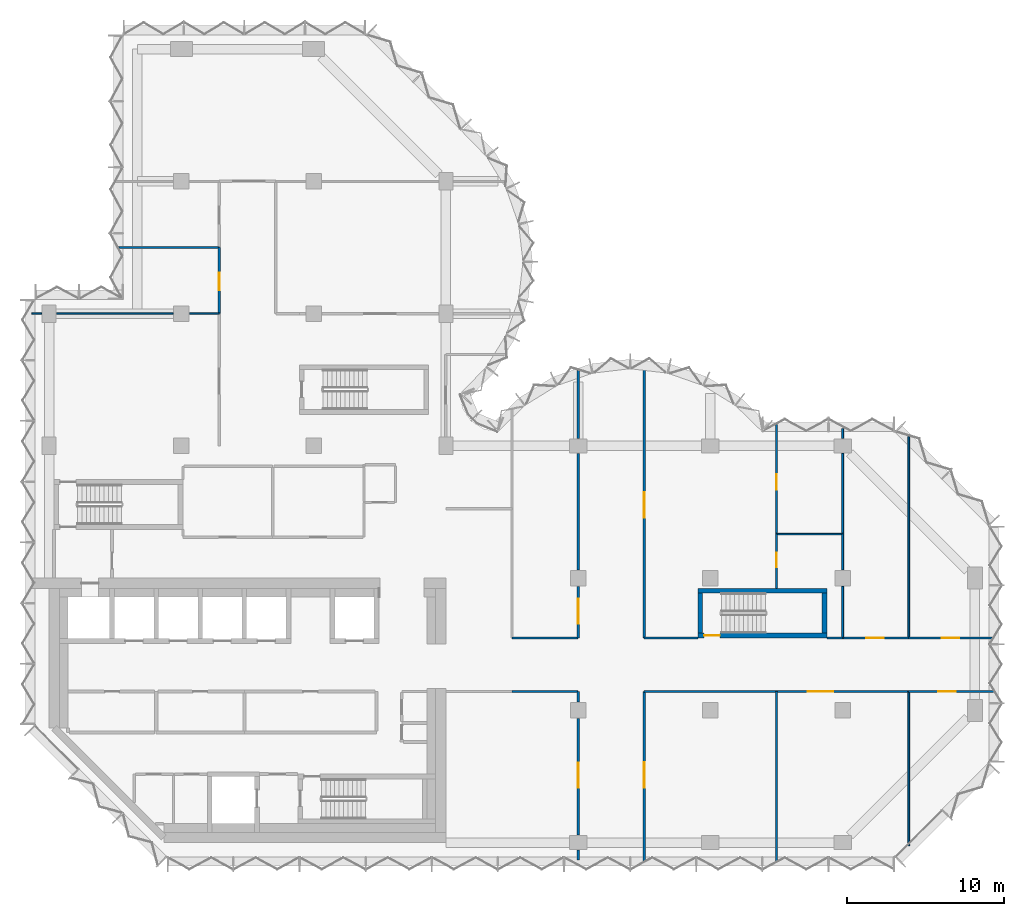
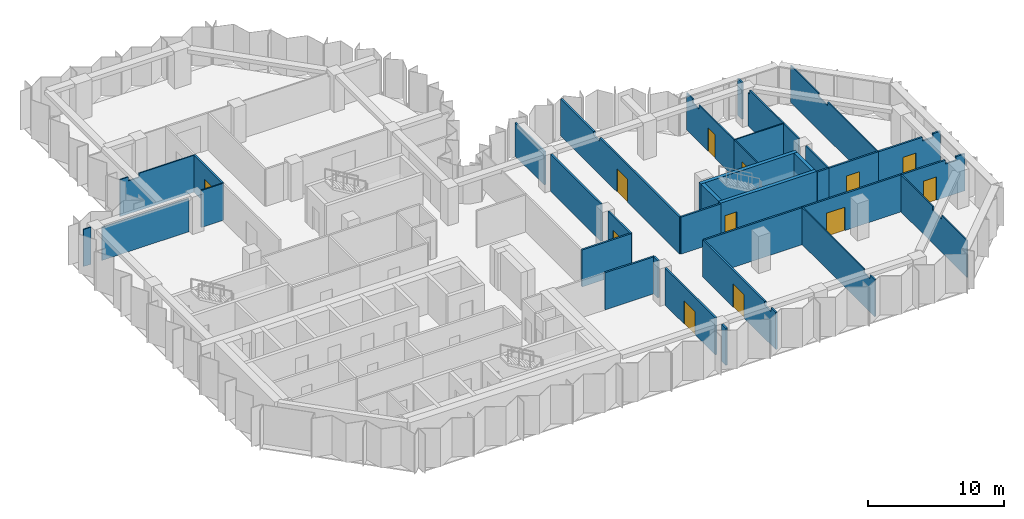
# One storey, part 7 of 10: 36 walls, 12 doors, 12 openings.
"""IFC4 building model written with IfcOpenShell, lengths in metres."""

from ifc_helpers import new_model, si_unit, direction, frame, frame_2d, origin, place, context, subcontext, project, spatial, polyline, rectangle, outline, extrude, material, layer, layer_set, type_object, element, fill, save


model = new_model("IFC4")

# Units and contexts
model_context = context("Model", 3, precision=1e-05, world=origin(), true_north=direction((0.0, 1.0)))
body_context = subcontext(model_context, "Body", "Model", "MODEL_VIEW")
ifc_project = project(units=[si_unit("LENGTHUNIT", "METRE"), si_unit("AREAUNIT", "SQUARE_METRE"), si_unit("VOLUMEUNIT", "CUBIC_METRE"), si_unit("PLANEANGLEUNIT", "RADIAN"), si_unit("MASSUNIT", "GRAM", prefix="KILO")], contexts=[model_context])

# Site, building, storey
site_placement = place(None, origin())
site = spatial("IfcSite", under=ifc_project, at=site_placement, CompositionType="ELEMENT")
building_placement = place(site_placement, origin())
building = spatial("IfcBuilding", under=site, at=building_placement, Name="Brevane Broadcast Tower", CompositionType="ELEMENT")
storey_placement = place(building_placement, frame((0.0, 0.0, 181.199951171875)))
storey = spatial("IfcBuildingStorey", under=building, at=storey_placement, Name="L45", CompositionType="ELEMENT", Elevation=181.199951171875)

# Wall, opening, door
ifc_material_1 = material(Name="Concrete C60/75", Category="concrete")
ifc_layer_1 = layer(ifc_material_1, 0.300048828125)
ifc_layer_set_1 = layer_set([ifc_layer_1], Name="Core wall 300 mm C60/75")
wall_type_1 = type_object("IfcWallType", Name="Core wall 300 mm C60/75", PredefinedType="SHEAR", material=ifc_layer_set_1)
wall_1_placement = place(storey_placement, frame((49.39990234375, 13.14990234375, 0.0), z_axis=(0.0, 0.0, 1.0), x_axis=(-1.0, 0.0, 0.0)))
wall_1 = element("IfcWall", 1, at=wall_1_placement, inside=storey, type_object=wall_type_1, Name="L45 stair wall ST-4-S", PredefinedType="SHEAR", context=body_context, shape_type="SweptSolid", body=[
    extrude(rectangle(XDim=8.199951171875, YDim=0.300048828125, at=frame_2d((4.10009765625, 0.0))), origin(), (0.0, 0.0, 1.0), 3.35009765625),
])
opening_1_placement = place(wall_1_placement, frame((6.800048828125, 0.0, 0.0)))
opening_1 = element("IfcOpeningElement", 2, at=opening_1_placement, cuts=wall_1, Name="Opening L45-K13", PredefinedType="OPENING", context=body_context, shape_type="SweptSolid", body=[
    extrude(rectangle(XDim=1.0, YDim=2.10009765625, at=frame_2d((0.5, 1.050048828125))), frame((0.0, 0.159912109375, 0.0), z_axis=(0.0, -1.0, 0.0), x_axis=(1.0, 0.0, 0.0)), (0.0, 0.0, 1.0), 0.320068359375),
])
ifc_material_2 = material(Name="Steel", Category="steel")
door_type_1 = type_object("IfcDoorType", Name="Stair door 1000 x 2100", OperationType="SINGLE_SWING_LEFT", PredefinedType="DOOR", material=ifc_material_2)
door_1_placement = place(opening_1_placement, origin())
door_1 = element("IfcDoor", 3, at=door_1_placement, inside=storey, type_object=door_type_1, Name="Door L45-K13", OperationType="SINGLE_SWING_RIGHT", OverallHeight=2.10009765625, OverallWidth=1.0, PredefinedType="DOOR", context=body_context, shape_type="SweptSolid", body=[
    extrude(rectangle(XDim=1.0, YDim=2.10009765625, at=frame_2d((0.5, 1.050048828125))), frame((0.0, 0.02490234375, 0.0), z_axis=(0.0, -1.0, 0.0), x_axis=(1.0, 0.0, 0.0)), (0.0, 0.0, 1.0), 0.050048828125),
])
fill(opening_1, door_1)

# Walls
wall_2_placement = place(storey_placement, frame((41.199951171875, 16.0, 0.0), z_axis=(0.0, 0.0, 1.0), x_axis=(1.0, 0.0, 0.0)))
element("IfcWall", 4, at=wall_2_placement, inside=storey, type_object=wall_type_1, Name="L45 stair wall ST-4-N", PredefinedType="SHEAR", context=body_context, shape_type="SweptSolid", body=[
    extrude(rectangle(XDim=8.199951171875, YDim=0.300048828125, at=frame_2d((4.10009765625, 0.0))), origin(), (0.0, 0.0, 1.0), 3.35009765625),
])
for number, where, z_axis, x_axis, name in (
    (5, (41.35009765625, 13.300048828125, 0.0), (0.0, 0.0, 1.0), (0.0, 1.0, 0.0), "L45 stair wall ST-4-W"),
    (6, (49.25, 13.300048828125, 0.0), (0.0, 0.0, 1.0), (0.0, 1.0, 0.0), "L45 stair wall ST-4-E"),
):
    element("IfcWall", number, at=place(storey_placement, frame(where, z_axis=z_axis, x_axis=x_axis)), inside=storey, type_object=wall_type_1, Name=name, PredefinedType="SHEAR", context=body_context, shape_type="SweptSolid", body=[
        extrude(rectangle(XDim=2.550048828125, YDim=0.300048828125, at=frame_2d((1.27490234375, 0.0))), origin(), (0.0, 0.0, 1.0), 3.35009765625),
    ])
ifc_material_3 = material(Name="Gypsum board partition")
ifc_layer_2 = layer(ifc_material_3, 0.10009765625)
ifc_layer_set_2 = layer_set([ifc_layer_2], Name="PARTITION 100 STUD")
wall_type_2 = type_object("IfcWallType", Name="PARTITION 100 STUD", PredefinedType="PARTITIONING", material=ifc_layer_set_2)
wall_3_placement = place(storey_placement, frame((46.199951171875, 9.60009765625, 0.0), z_axis=(0.0, 0.0, 1.0), x_axis=(0.0, -1.0, 0.0)))
element("IfcWall", 7, at=wall_3_placement, inside=storey, type_object=wall_type_2, Name="Partition G13-020", PredefinedType="PARTITIONING", context=body_context, shape_type="SweptSolid", body=[
    extrude(outline(polyline([(0.0, 0.0), (10.774169921875, 0.0), (10.77392578125, 3.330078125), (10.699951171875, 3.330078125), (10.050048828125, 3.330078125), (10.048095703125, 2.97998046875), (9.152099609375, 2.97998046875), (9.14990234375, 3.330078125), (0.0, 3.330078125), (0.0, 0.0)])), frame((0.0, 0.050048828125, 0.0), z_axis=(0.0, -1.0, 0.0), x_axis=(1.0, 0.0, 0.0)), (0.0, 0.0, 1.0), 0.10009765625),
])
wall_4_placement = place(storey_placement, frame((54.60009765625, 9.60009765625, 0.0), z_axis=(0.0, 0.0, 1.0), x_axis=(0.0, -1.0, 0.0)))
element("IfcWall", 8, at=wall_4_placement, inside=storey, type_object=wall_type_2, Name="Partition G13-021", PredefinedType="PARTITIONING", context=body_context, shape_type="SweptSolid", body=[
    extrude(outline(polyline([(0.0, 0.0), (9.800048828125, 0.0), (9.800048828125, 3.330078125), (6.065673828125, 3.330078125), (6.063720703125, 2.97998046875), (4.736328125, 2.97998046875), (4.734375, 3.330078125), (0.0, 3.330078125), (0.0, 0.0)])), frame((0.0, 0.050048828125, 0.0), z_axis=(0.0, -1.0, 0.0), x_axis=(1.0, 0.0, 0.0)), (0.0, 0.0, 1.0), 0.10009765625),
])

# Wall, opening, door
wall_5_placement = place(storey_placement, frame((46.199951171875, 19.60009765625, 0.0), z_axis=(0.0, 0.0, 1.0), x_axis=(0.0, -1.0, 0.0)))
wall_5 = element("IfcWall", 9, at=wall_5_placement, inside=storey, type_object=wall_type_2, Name="Partition G13-026", PredefinedType="PARTITIONING", context=body_context, shape_type="SweptSolid", body=[
    extrude(rectangle(XDim=3.4501953125, YDim=0.10009765625, at=frame_2d((1.72509765625, 0.0))), origin(), (0.0, 0.0, 1.0), 3.330078125),
])
opening_2_placement = place(wall_5_placement, frame((1.199951171875, 0.0, 0.0)))
opening_2 = element("IfcOpeningElement", 10, at=opening_2_placement, cuts=wall_5, Name="Opening D22-008", PredefinedType="OPENING", context=body_context, shape_type="SweptSolid", body=[
    extrude(rectangle(XDim=0.89990234375, YDim=2.10009765625, at=frame_2d((0.449951171875, 1.050048828125))), frame((0.0, 0.06005859375, 0.0), z_axis=(0.0, -1.0, 0.0), x_axis=(1.0, 0.0, 0.0)), (0.0, 0.0, 1.0), 0.1201171875),
])
ifc_material_4 = material(Name="Timber door leaf", Category="wood")
door_type_2 = type_object("IfcDoorType", Name="DOOR SINGLE 900 INTERNAL", OperationType="SINGLE_SWING_LEFT", PredefinedType="DOOR", material=ifc_material_4)
door_2_placement = place(opening_2_placement, origin())
door_2 = element("IfcDoor", 11, at=door_2_placement, inside=storey, type_object=door_type_2, Name="Door D22-008", OperationType="SINGLE_SWING_LEFT", OverallHeight=2.10009765625, OverallWidth=0.89990234375, PredefinedType="DOOR", context=body_context, shape_type="SweptSolid", body=[
    extrude(rectangle(XDim=0.89990234375, YDim=2.10009765625, at=frame_2d((0.449951171875, 1.050048828125))), frame((0.0, 0.02490234375, 0.0), z_axis=(0.0, -1.0, 0.0), x_axis=(1.0, 0.0, 0.0)), (0.0, 0.0, 1.0), 0.050048828125),
])
fill(opening_2, door_2)

wall_6_placement = place(storey_placement, frame((46.199951171875, 26.56494140625, 0.0), z_axis=(0.0, 0.0, 1.0), x_axis=(0.0, -1.0, 0.0)))
wall_6 = element("IfcWall", 12, at=wall_6_placement, inside=storey, type_object=wall_type_2, Name="Partition G13-027", PredefinedType="PARTITIONING", context=body_context, shape_type="SweptSolid", body=[
    extrude(outline(polyline([(0.0, 0.0), (6.96484375, 0.0), (6.965087890625, 3.330078125), (1.81494140625, 3.330078125), (1.81298828125, 2.97998046875), (0.9169921875, 2.97998046875), (0.9150390625, 3.330078125), (0.264892578125, 3.330078125), (0.0, 3.330078125), (0.0, 0.0)])), frame((0.0, 0.050048828125, 0.0), z_axis=(0.0, -1.0, 0.0), x_axis=(1.0, 0.0, 0.0)), (0.0, 0.0, 1.0), 0.10009765625),
])
opening_3_placement = place(wall_6_placement, frame((3.1650390625, 0.0, 0.0)))
opening_3 = element("IfcOpeningElement", 13, at=opening_3_placement, cuts=wall_6, Name="Opening D22-009", PredefinedType="OPENING", context=body_context, shape_type="SweptSolid", body=[
    extrude(rectangle(XDim=1.0, YDim=2.10009765625, at=frame_2d((0.5, 1.050048828125))), frame((0.0, 0.06005859375, 0.0), z_axis=(0.0, -1.0, 0.0), x_axis=(1.0, 0.0, 0.0)), (0.0, 0.0, 1.0), 0.1201171875),
])
door_type_3 = type_object("IfcDoorType", Name="DOOR SINGLE 1000 INTERNAL", OperationType="SINGLE_SWING_LEFT", PredefinedType="DOOR", material=ifc_material_4)
door_3_placement = place(opening_3_placement, origin())
door_3 = element("IfcDoor", 14, at=door_3_placement, inside=storey, type_object=door_type_3, Name="Door D22-009", OperationType="SINGLE_SWING_LEFT", OverallHeight=2.10009765625, OverallWidth=1.0, PredefinedType="DOOR", context=body_context, shape_type="SweptSolid", body=[
    extrude(rectangle(XDim=1.0, YDim=2.10009765625, at=frame_2d((0.5, 1.050048828125))), frame((0.0, 0.02490234375, 0.0), z_axis=(0.0, -1.0, 0.0), x_axis=(1.0, 0.0, 0.0)), (0.0, 0.0, 1.0), 0.050048828125),
])
fill(opening_3, door_3)

# Walls
wall_7_placement = place(storey_placement, frame((46.199951171875, 19.60009765625, 0.0), z_axis=(0.0, 0.0, 1.0), x_axis=(1.0, 0.0, 0.0)))
element("IfcWall", 15, at=wall_7_placement, inside=storey, type_object=wall_type_2, Name="Partition G13-028", PredefinedType="PARTITIONING", context=body_context, shape_type="SweptSolid", body=[
    extrude(rectangle(XDim=4.199951171875, YDim=0.10009765625, at=frame_2d((2.10009765625, 0.0))), origin(), (0.0, 0.0, 1.0), 3.330078125),
])
wall_8_placement = place(storey_placement, frame((54.60009765625, 25.805419921875, 0.0), z_axis=(0.0, 0.0, 1.0), x_axis=(0.0, -1.0, 0.0)))
element("IfcWall", 16, at=wall_8_placement, inside=storey, type_object=wall_type_2, Name="Partition G13-033", PredefinedType="PARTITIONING", context=body_context, shape_type="SweptSolid", body=[
    extrude(outline(polyline([(0.0, 0.0), (12.805419921875, 0.0), (12.805419921875, 3.330078125), (5.47119140625, 3.330078125), (5.468994140625, 2.97998046875), (4.1416015625, 2.97998046875), (4.1396484375, 3.330078125), (0.405517578125, 3.330078125), (0.0, 3.330078125), (0.0, 0.0)])), frame((0.0, 0.050048828125, 0.0), z_axis=(0.0, -1.0, 0.0), x_axis=(1.0, 0.0, 0.0)), (0.0, 0.0, 1.0), 0.10009765625),
])
wall_9_placement = place(storey_placement, frame((-1.10009765625, 33.60009765625, 0.0), z_axis=(0.0, 0.0, 1.0), x_axis=(1.0, 0.0, 0.0)))
element("IfcWall", 17, at=wall_9_placement, inside=storey, type_object=wall_type_2, Name="Partition G13-048", PredefinedType="PARTITIONING", context=body_context, shape_type="SweptSolid", body=[
    extrude(rectangle(XDim=0.630126953125, YDim=0.10009765625, at=frame_2d((0.31494140625, 0.0))), origin(), (0.0, 0.0, 1.0), 3.330078125),
])
wall_10_placement = place(storey_placement, frame((0.469970703125, 33.60009765625, 0.0), z_axis=(0.0, 0.0, 1.0), x_axis=(1.0, 0.0, 0.0)))
element("IfcWall", 18, at=wall_10_placement, inside=storey, type_object=wall_type_2, Name="Partition G13-049", PredefinedType="PARTITIONING", context=body_context, shape_type="SweptSolid", body=[
    extrude(outline(polyline([(0.0, 0.0), (7.409912109375, 0.0), (7.409912109375, 2.97998046875), (0.0, 2.97998046875), (0.0, 0.0)])), frame((0.0, 0.050048828125, 0.0), z_axis=(0.0, -1.0, 0.0), x_axis=(1.0, 0.0, 0.0)), (0.0, 0.0, 1.0), 0.10009765625),
])
wall_11_placement = place(storey_placement, frame((8.919921875, 33.60009765625, 0.0), z_axis=(0.0, 0.0, 1.0), x_axis=(1.0, 0.0, 0.0)))
element("IfcWall", 19, at=wall_11_placement, inside=storey, type_object=wall_type_2, Name="Partition G13-050", PredefinedType="PARTITIONING", context=body_context, shape_type="SweptSolid", body=[
    extrude(rectangle(XDim=1.880126953125, YDim=0.10009765625, at=frame_2d((0.93994140625, 0.0))), origin(), (0.0, 0.0, 1.0), 3.330078125),
])
wall_12_placement = place(storey_placement, frame((4.426025390625, 37.800048828125, 0.0), z_axis=(0.0, 0.0, 1.0), x_axis=(1.0, 0.0, 0.0)))
element("IfcWall", 20, at=wall_12_placement, inside=storey, type_object=wall_type_2, Name="Partition G13-051", PredefinedType="PARTITIONING", context=body_context, shape_type="SweptSolid", body=[
    extrude(outline(polyline([(0.0, 0.0), (6.3740234375, 0.0), (6.3740234375, 3.330078125), (1.6240234375, 3.330078125), (1.6220703125, 2.97998046875), (0.72607421875, 2.97998046875), (0.72412109375, 3.330078125), (0.073974609375, 3.330078125), (0.0, 3.330078125), (0.0, 0.0)])), frame((0.0, 0.050048828125, 0.0), z_axis=(0.0, -1.0, 0.0), x_axis=(1.0, 0.0, 0.0)), (0.0, 0.0, 1.0), 0.10009765625),
])
ifc_layer_3 = layer(ifc_material_3, 0.125)
ifc_layer_set_3 = layer_set([ifc_layer_3], Name="PARTITION 125 ACOUSTIC")
wall_type_3 = type_object("IfcWallType", Name="PARTITION 125 ACOUSTIC", PredefinedType="PARTITIONING", material=ifc_layer_set_3)
wall_13_placement = place(storey_placement, frame((50.39990234375, 19.60009765625, 0.0), z_axis=(0.0, 0.0, 1.0), x_axis=(0.0, -1.0, 0.0)))
element("IfcWall", 21, at=wall_13_placement, inside=storey, type_object=wall_type_3, Name="Partition G13-029", PredefinedType="PARTITIONING", context=body_context, shape_type="SweptSolid", body=[
    extrude(rectangle(XDim=2.280029296875, YDim=0.125, at=frame_2d((1.14013671875, 0.0))), origin(), (0.0, 0.0, 1.0), 3.330078125),
])
wall_14_placement = place(storey_placement, frame((50.39990234375, 16.280029296875, 0.0), z_axis=(0.0, 0.0, 1.0), x_axis=(0.0, -1.0, 0.0)))
element("IfcWall", 22, at=wall_14_placement, inside=storey, type_object=wall_type_3, Name="Partition G13-030", PredefinedType="PARTITIONING", context=body_context, shape_type="SweptSolid", body=[
    extrude(rectangle(XDim=3.280029296875, YDim=0.125, at=frame_2d((1.64013671875, 0.0))), origin(), (0.0, 0.0, 1.0), 3.330078125),
])
wall_15_placement = place(storey_placement, frame((50.39990234375, 26.300048828125, 0.0), z_axis=(0.0, 0.0, 1.0), x_axis=(0.0, -1.0, 0.0)))
element("IfcWall", 23, at=wall_15_placement, inside=storey, type_object=wall_type_3, Name="Partition G13-031", PredefinedType="PARTITIONING", context=body_context, shape_type="SweptSolid", body=[
    extrude(rectangle(XDim=0.630126953125, YDim=0.125, at=frame_2d((0.31494140625, 0.0))), origin(), (0.0, 0.0, 1.0), 3.330078125),
])
wall_16_placement = place(storey_placement, frame((50.39990234375, 24.72998046875, 0.0), z_axis=(0.0, 0.0, 1.0), x_axis=(0.0, -1.0, 0.0)))
element("IfcWall", 24, at=wall_16_placement, inside=storey, type_object=wall_type_3, Name="Partition G13-032", PredefinedType="PARTITIONING", context=body_context, shape_type="SweptSolid", body=[
    extrude(outline(polyline([(0.0, 0.0), (5.1298828125, 0.0), (5.1298828125, 3.330078125), (0.208251953125, 3.330078125), (0.206298828125, 2.97998046875), (0.0, 2.97998046875), (0.0, 0.0)])), frame((0.0, 0.0625, 0.0), z_axis=(0.0, -1.0, 0.0), x_axis=(1.0, 0.0, 0.0)), (0.0, 0.0, 1.0), 0.125),
])
ifc_layer_4 = layer(ifc_material_3, 0.14990234375)
ifc_layer_set_4 = layer_set([ifc_layer_4], Name="PARTITION 150 EI 60")
wall_type_4 = type_object("IfcWallType", Name="PARTITION 150 EI 60", PredefinedType="PARTITIONING", material=ifc_layer_set_4)
wall_17_placement = place(storey_placement, frame((33.60009765625, 9.60009765625, 0.0), z_axis=(0.0, 0.0, 1.0), x_axis=(-1.0, 0.0, 0.0)))
element("IfcWall", 25, at=wall_17_placement, inside=storey, type_object=wall_type_4, Name="Partition G13-007", PredefinedType="PARTITIONING", context=body_context, shape_type="SweptSolid", body=[
    extrude(rectangle(XDim=4.2001953125, YDim=0.14990234375, at=frame_2d((2.10009765625, 0.0))), origin(), (0.0, 0.0, 1.0), 3.330078125),
])
wall_18_placement = place(storey_placement, frame((46.199951171875, 9.60009765625, 0.0), z_axis=(0.0, 0.0, 1.0), x_axis=(-1.0, 0.0, 0.0)))
element("IfcWall", 26, at=wall_18_placement, inside=storey, type_object=wall_type_4, Name="Partition G13-008", PredefinedType="PARTITIONING", context=body_context, shape_type="SweptSolid", body=[
    extrude(rectangle(XDim=8.39990234375, YDim=0.14990234375, at=frame_2d((4.199951171875, 0.0))), origin(), (0.0, 0.0, 1.0), 3.330078125),
])

# Wall, opening, door
wall_19_placement = place(storey_placement, frame((54.60009765625, 9.60009765625, 0.0), z_axis=(0.0, 0.0, 1.0), x_axis=(-1.0, 0.0, 0.0)))
wall_19 = element("IfcWall", 27, at=wall_19_placement, inside=storey, type_object=wall_type_4, Name="Partition G13-009", PredefinedType="PARTITIONING", context=body_context, shape_type="SweptSolid", body=[
    extrude(rectangle(XDim=8.400146484375, YDim=0.14990234375, at=frame_2d((4.2001953125, 0.0))), origin(), (0.0, 0.0, 1.0), 3.330078125),
])
opening_4_placement = place(wall_19_placement, frame((4.800048828125, 0.0, 0.0)))
opening_4 = element("IfcOpeningElement", 28, at=opening_4_placement, cuts=wall_19, Name="Opening D22-004", PredefinedType="OPENING", context=body_context, shape_type="SweptSolid", body=[
    extrude(rectangle(XDim=1.60009765625, YDim=2.10009765625, at=frame_2d((0.800048828125, 1.050048828125))), frame((0.0, 0.0849609375, 0.0), z_axis=(0.0, -1.0, 0.0), x_axis=(1.0, 0.0, 0.0)), (0.0, 0.0, 1.0), 0.169921875),
])
ifc_material_5 = material(Name="Fire-rated timber door leaf", Category="wood")
door_type_4 = type_object("IfcDoorType", Name="DOOR DOUBLE 1600 FD30S", OperationType="DOUBLE_DOOR_SINGLE_SWING", PredefinedType="DOOR", material=ifc_material_5)
door_4_placement = place(opening_4_placement, origin())
door_4 = element("IfcDoor", 29, at=door_4_placement, inside=storey, type_object=door_type_4, Name="Door D22-004", OperationType="DOUBLE_DOOR_SINGLE_SWING", OverallHeight=2.10009765625, OverallWidth=1.60009765625, PredefinedType="DOOR", context=body_context, shape_type="SweptSolid", body=[
    extrude(rectangle(XDim=1.60009765625, YDim=2.10009765625, at=frame_2d((0.800048828125, 1.050048828125))), frame((0.0, 0.02490234375, 0.0), z_axis=(0.0, -1.0, 0.0), x_axis=(1.0, 0.0, 0.0)), (0.0, 0.0, 1.0), 0.050048828125),
])
fill(opening_4, door_4)

wall_20_placement = place(storey_placement, frame((60.007080078125, 9.60009765625, 0.0), z_axis=(0.0, 0.0, 1.0), x_axis=(-1.0, 0.0, 0.0)))
wall_20 = element("IfcWall", 30, at=wall_20_placement, inside=storey, type_object=wall_type_4, Name="Partition G13-010", PredefinedType="PARTITIONING", context=body_context, shape_type="SweptSolid", body=[
    extrude(outline(polyline([(0.0, 0.0), (5.406982421875, 0.0), (5.406982421875, 3.330078125), (1.656982421875, 3.330078125), (1.655029296875, 2.97998046875), (0.759033203125, 2.97998046875), (0.757080078125, 3.330078125), (0.127197265625, 3.330078125), (0.0, 3.330078125), (0.0, 0.0)])), frame((0.0, 0.074951171875, 0.0), z_axis=(0.0, -1.0, 0.0), x_axis=(1.0, 0.0, 0.0)), (0.0, 0.0, 1.0), 0.14990234375),
])
opening_5_placement = place(wall_20_placement, frame((2.427001953125, 0.0, 0.0)))
opening_5 = element("IfcOpeningElement", 31, at=opening_5_placement, cuts=wall_20, Name="Opening D22-005", PredefinedType="OPENING", context=body_context, shape_type="SweptSolid", body=[
    extrude(rectangle(XDim=1.10009765625, YDim=2.10009765625, at=frame_2d((0.550048828125, 1.050048828125))), frame((0.0, 0.0849609375, 0.0), z_axis=(0.0, -1.0, 0.0), x_axis=(1.0, 0.0, 0.0)), (0.0, 0.0, 1.0), 0.169921875),
])
door_type_5 = type_object("IfcDoorType", Name="DOOR SINGLE 1100 FD30S", OperationType="SINGLE_SWING_LEFT", PredefinedType="DOOR", material=ifc_material_5)
door_5_placement = place(opening_5_placement, origin())
door_5 = element("IfcDoor", 32, at=door_5_placement, inside=storey, type_object=door_type_5, Name="Door D22-005", OperationType="SINGLE_SWING_LEFT", OverallHeight=2.10009765625, OverallWidth=1.10009765625, PredefinedType="DOOR", context=body_context, shape_type="SweptSolid", body=[
    extrude(rectangle(XDim=1.10009765625, YDim=2.10009765625, at=frame_2d((0.550048828125, 1.050048828125))), frame((0.0, 0.02490234375, 0.0), z_axis=(0.0, -1.0, 0.0), x_axis=(1.0, 0.0, 0.0)), (0.0, 0.0, 1.0), 0.050048828125),
])
fill(opening_5, door_5)

# Walls
wall_21_placement = place(storey_placement, frame((29.39990234375, 13.0, 0.0), z_axis=(0.0, 0.0, 1.0), x_axis=(1.0, 0.0, 0.0)))
element("IfcWall", 33, at=wall_21_placement, inside=storey, type_object=wall_type_4, Name="Partition G13-011", PredefinedType="PARTITIONING", context=body_context, shape_type="SweptSolid", body=[
    extrude(rectangle(XDim=4.2001953125, YDim=0.14990234375, at=frame_2d((2.10009765625, 0.0))), origin(), (0.0, 0.0, 1.0), 3.330078125),
])
wall_22_placement = place(storey_placement, frame((37.800048828125, 13.0, 0.0), z_axis=(0.0, 0.0, 1.0), x_axis=(1.0, 0.0, 0.0)))
element("IfcWall", 34, at=wall_22_placement, inside=storey, type_object=wall_type_4, Name="Partition G13-012", PredefinedType="PARTITIONING", context=body_context, shape_type="SweptSolid", body=[
    extrude(rectangle(XDim=3.39990234375, YDim=0.14990234375, at=frame_2d((1.699951171875, 0.0))), origin(), (0.0, 0.0, 1.0), 3.330078125),
])
wall_23_placement = place(storey_placement, frame((49.39990234375, 13.0, 0.0), z_axis=(0.0, 0.0, 1.0), x_axis=(1.0, 0.0, 0.0)))
element("IfcWall", 35, at=wall_23_placement, inside=storey, type_object=wall_type_4, Name="Partition G13-013", PredefinedType="PARTITIONING", context=body_context, shape_type="SweptSolid", body=[
    extrude(rectangle(XDim=1.0, YDim=0.14990234375, at=frame_2d((0.5, 0.0))), origin(), (0.0, 0.0, 1.0), 3.330078125),
])

# Wall, opening, door
wall_24_placement = place(storey_placement, frame((50.39990234375, 13.0, 0.0), z_axis=(0.0, 0.0, 1.0), x_axis=(1.0, 0.0, 0.0)))
wall_24 = element("IfcWall", 36, at=wall_24_placement, inside=storey, type_object=wall_type_4, Name="Partition G13-014", PredefinedType="PARTITIONING", context=body_context, shape_type="SweptSolid", body=[
    extrude(rectangle(XDim=4.2001953125, YDim=0.14990234375, at=frame_2d((2.10009765625, 0.0))), origin(), (0.0, 0.0, 1.0), 3.330078125),
])
opening_6_placement = place(wall_24_placement, frame((1.5, 0.0, 0.0)))
opening_6 = element("IfcOpeningElement", 37, at=opening_6_placement, cuts=wall_24, Name="Opening D22-010", PredefinedType="OPENING", context=body_context, shape_type="SweptSolid", body=[
    extrude(rectangle(XDim=1.10009765625, YDim=2.10009765625, at=frame_2d((0.550048828125, 1.050048828125))), frame((0.0, 0.0849609375, 0.0), z_axis=(0.0, -1.0, 0.0), x_axis=(1.0, 0.0, 0.0)), (0.0, 0.0, 1.0), 0.169921875),
])
door_6_placement = place(opening_6_placement, origin())
door_6 = element("IfcDoor", 38, at=door_6_placement, inside=storey, type_object=door_type_5, Name="Door D22-010", OperationType="SINGLE_SWING_LEFT", OverallHeight=2.10009765625, OverallWidth=1.10009765625, PredefinedType="DOOR", context=body_context, shape_type="SweptSolid", body=[
    extrude(rectangle(XDim=1.10009765625, YDim=2.10009765625, at=frame_2d((0.550048828125, 1.050048828125))), frame((0.0, 0.02490234375, 0.0), z_axis=(0.0, -1.0, 0.0), x_axis=(1.0, 0.0, 0.0)), (0.0, 0.0, 1.0), 0.050048828125),
])
fill(opening_6, door_6)

wall_25_placement = place(storey_placement, frame((54.60009765625, 13.0, 0.0), z_axis=(0.0, 0.0, 1.0), x_axis=(1.0, 0.0, 0.0)))
wall_25 = element("IfcWall", 39, at=wall_25_placement, inside=storey, type_object=wall_type_4, Name="Partition G13-015", PredefinedType="PARTITIONING", context=body_context, shape_type="SweptSolid", body=[
    extrude(outline(polyline([(0.0, 0.0), (5.27978515625, 0.0), (5.280029296875, 3.330078125), (4.64990234375, 3.330078125), (4.64794921875, 2.97998046875), (3.751953125, 2.97998046875), (3.75, 3.330078125), (0.0, 3.330078125), (0.0, 0.0)])), frame((0.0, 0.074951171875, 0.0), z_axis=(0.0, -1.0, 0.0), x_axis=(1.0, 0.0, 0.0)), (0.0, 0.0, 1.0), 0.14990234375),
])
opening_7_placement = place(wall_25_placement, frame((2.10009765625, 0.0, 0.0)))
opening_7 = element("IfcOpeningElement", 40, at=opening_7_placement, cuts=wall_25, Name="Opening D22-011", PredefinedType="OPENING", context=body_context, shape_type="SweptSolid", body=[
    extrude(rectangle(XDim=1.10009765625, YDim=2.10009765625, at=frame_2d((0.550048828125, 1.050048828125))), frame((0.0, 0.0849609375, 0.0), z_axis=(0.0, -1.0, 0.0), x_axis=(1.0, 0.0, 0.0)), (0.0, 0.0, 1.0), 0.169921875),
])
door_7_placement = place(opening_7_placement, origin())
door_7 = element("IfcDoor", 41, at=door_7_placement, inside=storey, type_object=door_type_5, Name="Door D22-011", OperationType="SINGLE_SWING_LEFT", OverallHeight=2.10009765625, OverallWidth=1.10009765625, PredefinedType="DOOR", context=body_context, shape_type="SweptSolid", body=[
    extrude(rectangle(XDim=1.10009765625, YDim=2.10009765625, at=frame_2d((0.550048828125, 1.050048828125))), frame((0.0, 0.02490234375, 0.0), z_axis=(0.0, -1.0, 0.0), x_axis=(1.0, 0.0, 0.0)), (0.0, 0.0, 1.0), 0.050048828125),
])
fill(opening_7, door_7)

# Wall
wall_26_placement = place(storey_placement, frame((33.60009765625, -1.10009765625, 0.0), z_axis=(0.0, 0.0, 1.0), x_axis=(0.0, 1.0, 0.0)))
element("IfcWall", 42, at=wall_26_placement, inside=storey, type_object=wall_type_4, Name="Partition G13-016", PredefinedType="PARTITIONING", context=body_context, shape_type="SweptSolid", body=[
    extrude(rectangle(XDim=0.630126953125, YDim=0.14990234375, at=frame_2d((0.31494140625, 0.0))), origin(), (0.0, 0.0, 1.0), 3.330078125),
])

# Wall, opening, door
wall_27_placement = place(storey_placement, frame((33.60009765625, 0.469970703125, 0.0), z_axis=(0.0, 0.0, 1.0), x_axis=(0.0, 1.0, 0.0)))
wall_27 = element("IfcWall", 43, at=wall_27_placement, inside=storey, type_object=wall_type_4, Name="Partition G13-017", PredefinedType="PARTITIONING", context=body_context, shape_type="SweptSolid", body=[
    extrude(rectangle(XDim=7.409912109375, YDim=0.14990234375, at=frame_2d((3.705078125, 0.0))), origin(), (0.0, 0.0, 1.0), 3.330078125),
])
opening_8_placement = place(wall_27_placement, frame((3.0, 0.0, 0.0)))
opening_8 = element("IfcOpeningElement", 44, at=opening_8_placement, cuts=wall_27, Name="Opening D22-002", PredefinedType="OPENING", context=body_context, shape_type="SweptSolid", body=[
    extrude(rectangle(XDim=1.60009765625, YDim=2.10009765625, at=frame_2d((0.800048828125, 1.050048828125))), frame((0.0, 0.0849609375, 0.0), z_axis=(0.0, -1.0, 0.0), x_axis=(1.0, 0.0, 0.0)), (0.0, 0.0, 1.0), 0.169921875),
])
door_8_placement = place(opening_8_placement, origin())
door_8 = element("IfcDoor", 45, at=door_8_placement, inside=storey, type_object=door_type_4, Name="Door D22-002", OperationType="DOUBLE_DOOR_SINGLE_SWING", OverallHeight=2.10009765625, OverallWidth=1.60009765625, PredefinedType="DOOR", context=body_context, shape_type="SweptSolid", body=[
    extrude(rectangle(XDim=1.60009765625, YDim=2.10009765625, at=frame_2d((0.800048828125, 1.050048828125))), frame((0.0, 0.02490234375, 0.0), z_axis=(0.0, -1.0, 0.0), x_axis=(1.0, 0.0, 0.0)), (0.0, 0.0, 1.0), 0.050048828125),
])
fill(opening_8, door_8)

# Wall
wall_28_placement = place(storey_placement, frame((33.60009765625, 8.919921875, 0.0), z_axis=(0.0, 0.0, 1.0), x_axis=(0.0, 1.0, 0.0)))
element("IfcWall", 46, at=wall_28_placement, inside=storey, type_object=wall_type_4, Name="Partition G13-018", PredefinedType="PARTITIONING", context=body_context, shape_type="SweptSolid", body=[
    extrude(rectangle(XDim=0.68017578125, YDim=0.14990234375, at=frame_2d((0.340087890625, 0.0))), origin(), (0.0, 0.0, 1.0), 3.330078125),
])

# Wall, opening, door
wall_29_placement = place(storey_placement, frame((37.800048828125, 9.60009765625, 0.0), z_axis=(0.0, 0.0, 1.0), x_axis=(0.0, -1.0, 0.0)))
wall_29 = element("IfcWall", 47, at=wall_29_placement, inside=storey, type_object=wall_type_4, Name="Partition G13-019", PredefinedType="PARTITIONING", context=body_context, shape_type="SweptSolid", body=[
    extrude(outline(polyline([(0.0, 0.0), (10.774169921875, 0.0), (10.77392578125, 3.330078125), (10.699951171875, 3.330078125), (10.050048828125, 3.330078125), (10.048095703125, 2.97998046875), (9.152099609375, 2.97998046875), (9.14990234375, 3.330078125), (0.0, 3.330078125), (0.0, 0.0)])), frame((0.0, 0.074951171875, 0.0), z_axis=(0.0, -1.0, 0.0), x_axis=(1.0, 0.0, 0.0)), (0.0, 0.0, 1.0), 0.14990234375),
])
opening_9_placement = place(wall_29_placement, frame((4.5, 0.0, 0.0)))
opening_9 = element("IfcOpeningElement", 48, at=opening_9_placement, cuts=wall_29, Name="Opening D22-003", PredefinedType="OPENING", context=body_context, shape_type="SweptSolid", body=[
    extrude(rectangle(XDim=1.60009765625, YDim=2.10009765625, at=frame_2d((0.800048828125, 1.050048828125))), frame((0.0, 0.0849609375, 0.0), z_axis=(0.0, -1.0, 0.0), x_axis=(1.0, 0.0, 0.0)), (0.0, 0.0, 1.0), 0.169921875),
])
door_9_placement = place(opening_9_placement, origin())
door_9 = element("IfcDoor", 49, at=door_9_placement, inside=storey, type_object=door_type_4, Name="Door D22-003", OperationType="DOUBLE_DOOR_SINGLE_SWING", OverallHeight=2.10009765625, OverallWidth=1.60009765625, PredefinedType="DOOR", context=body_context, shape_type="SweptSolid", body=[
    extrude(rectangle(XDim=1.60009765625, YDim=2.10009765625, at=frame_2d((0.800048828125, 1.050048828125))), frame((0.0, 0.02490234375, 0.0), z_axis=(0.0, -1.0, 0.0), x_axis=(1.0, 0.0, 0.0)), (0.0, 0.0, 1.0), 0.050048828125),
])
fill(opening_9, door_9)

wall_30_placement = place(storey_placement, frame((33.60009765625, 13.0, 0.0), z_axis=(0.0, 0.0, 1.0), x_axis=(0.0, 1.0, 0.0)))
wall_30 = element("IfcWall", 50, at=wall_30_placement, inside=storey, type_object=wall_type_4, Name="Partition G13-022", PredefinedType="PARTITIONING", context=body_context, shape_type="SweptSolid", body=[
    extrude(rectangle(XDim=3.280029296875, YDim=0.14990234375, at=frame_2d((1.64013671875, 0.0))), origin(), (0.0, 0.0, 1.0), 3.330078125),
])
opening_10_placement = place(wall_30_placement, frame((0.89990234375, 0.0, 0.0)))
opening_10 = element("IfcOpeningElement", 51, at=opening_10_placement, cuts=wall_30, Name="Opening D22-006", PredefinedType="OPENING", context=body_context, shape_type="SweptSolid", body=[
    extrude(rectangle(XDim=1.60009765625, YDim=2.10009765625, at=frame_2d((0.800048828125, 1.050048828125))), frame((0.0, 0.0849609375, 0.0), z_axis=(0.0, -1.0, 0.0), x_axis=(1.0, 0.0, 0.0)), (0.0, 0.0, 1.0), 0.169921875),
])
door_10_placement = place(opening_10_placement, origin())
door_10 = element("IfcDoor", 52, at=door_10_placement, inside=storey, type_object=door_type_4, Name="Door D22-006", OperationType="DOUBLE_DOOR_SINGLE_SWING", OverallHeight=2.10009765625, OverallWidth=1.60009765625, PredefinedType="DOOR", context=body_context, shape_type="SweptSolid", body=[
    extrude(rectangle(XDim=1.60009765625, YDim=2.10009765625, at=frame_2d((0.800048828125, 1.050048828125))), frame((0.0, 0.02490234375, 0.0), z_axis=(0.0, -1.0, 0.0), x_axis=(1.0, 0.0, 0.0)), (0.0, 0.0, 1.0), 0.050048828125),
])
fill(opening_10, door_10)

# Walls
wall_31_placement = place(storey_placement, frame((33.60009765625, 17.320068359375, 0.0), z_axis=(0.0, 0.0, 1.0), x_axis=(0.0, 1.0, 0.0)))
element("IfcWall", 53, at=wall_31_placement, inside=storey, type_object=wall_type_4, Name="Partition G13-023", PredefinedType="PARTITIONING", context=body_context, shape_type="SweptSolid", body=[
    extrude(rectangle(XDim=7.409912109375, YDim=0.14990234375, at=frame_2d((3.705078125, 0.0))), origin(), (0.0, 0.0, 1.0), 3.330078125),
])
wall_32_placement = place(storey_placement, frame((33.60009765625, 25.669921875, 0.0), z_axis=(0.0, 0.0, 1.0), x_axis=(0.0, 1.0, 0.0)))
element("IfcWall", 54, at=wall_32_placement, inside=storey, type_object=wall_type_4, Name="Partition G13-024", PredefinedType="PARTITIONING", context=body_context, shape_type="SweptSolid", body=[
    extrude(rectangle(XDim=4.318359375, YDim=0.14990234375, at=frame_2d((2.1591796875, 0.0))), origin(), (0.0, 0.0, 1.0), 2.97998046875),
])

# Wall, opening, door
wall_33_placement = place(storey_placement, frame((37.800048828125, 30.52587890625, 0.0), z_axis=(0.0, 0.0, 1.0), x_axis=(0.0, -1.0, 0.0)))
wall_33 = element("IfcWall", 55, at=wall_33_placement, inside=storey, type_object=wall_type_4, Name="Partition G13-025", PredefinedType="PARTITIONING", context=body_context, shape_type="SweptSolid", body=[
    extrude(outline(polyline([(0.0, 0.0), (17.52587890625, 0.0), (17.52587890625, 3.330078125), (5.77587890625, 3.330078125), (5.77392578125, 2.97998046875), (4.8779296875, 2.97998046875), (4.8759765625, 3.330078125), (0.283203125, 3.330078125), (0.0, 3.330078125), (0.0, 0.0)])), frame((0.0, 0.074951171875, 0.0), z_axis=(0.0, -1.0, 0.0), x_axis=(1.0, 0.0, 0.0)), (0.0, 0.0, 1.0), 0.14990234375),
])
opening_11_placement = place(wall_33_placement, frame((8.283203125, 0.0, 0.0)))
opening_11 = element("IfcOpeningElement", 56, at=opening_11_placement, cuts=wall_33, Name="Opening D22-007", PredefinedType="OPENING", context=body_context, shape_type="SweptSolid", body=[
    extrude(rectangle(XDim=1.60009765625, YDim=2.10009765625, at=frame_2d((0.800048828125, 1.050048828125))), frame((0.0, 0.0849609375, 0.0), z_axis=(0.0, -1.0, 0.0), x_axis=(1.0, 0.0, 0.0)), (0.0, 0.0, 1.0), 0.169921875),
])
door_11_placement = place(opening_11_placement, origin())
door_11 = element("IfcDoor", 57, at=door_11_placement, inside=storey, type_object=door_type_4, Name="Door D22-007", OperationType="DOUBLE_DOOR_SINGLE_SWING", OverallHeight=2.10009765625, OverallWidth=1.60009765625, PredefinedType="DOOR", context=body_context, shape_type="SweptSolid", body=[
    extrude(rectangle(XDim=1.60009765625, YDim=2.10009765625, at=frame_2d((0.800048828125, 1.050048828125))), frame((0.0, 0.02490234375, 0.0), z_axis=(0.0, -1.0, 0.0), x_axis=(1.0, 0.0, 0.0)), (0.0, 0.0, 1.0), 0.050048828125),
])
fill(opening_11, door_11)

wall_34_placement = place(storey_placement, frame((10.800048828125, 33.60009765625, 0.0), z_axis=(0.0, 0.0, 1.0), x_axis=(0.0, 1.0, 0.0)))
wall_34 = element("IfcWall", 58, at=wall_34_placement, inside=storey, type_object=wall_type_4, Name="Partition G13-040", PredefinedType="PARTITIONING", context=body_context, shape_type="SweptSolid", body=[
    extrude(rectangle(XDim=4.199951171875, YDim=0.14990234375, at=frame_2d((2.10009765625, 0.0))), origin(), (0.0, 0.0, 1.0), 3.330078125),
])
opening_12_placement = place(wall_34_placement, frame((1.5, 0.0, 0.0)))
opening_12 = element("IfcOpeningElement", 59, at=opening_12_placement, cuts=wall_34, Name="Opening D22-014", PredefinedType="OPENING", context=body_context, shape_type="SweptSolid", body=[
    extrude(rectangle(XDim=1.10009765625, YDim=2.10009765625, at=frame_2d((0.550048828125, 1.050048828125))), frame((0.0, 0.0849609375, 0.0), z_axis=(0.0, -1.0, 0.0), x_axis=(1.0, 0.0, 0.0)), (0.0, 0.0, 1.0), 0.169921875),
])
door_12_placement = place(opening_12_placement, origin())
door_12 = element("IfcDoor", 60, at=door_12_placement, inside=storey, type_object=door_type_5, Name="Door D22-014", OperationType="SINGLE_SWING_LEFT", OverallHeight=2.10009765625, OverallWidth=1.10009765625, PredefinedType="DOOR", context=body_context, shape_type="SweptSolid", body=[
    extrude(rectangle(XDim=1.10009765625, YDim=2.10009765625, at=frame_2d((0.550048828125, 1.050048828125))), frame((0.0, 0.02490234375, 0.0), z_axis=(0.0, -1.0, 0.0), x_axis=(1.0, 0.0, 0.0)), (0.0, 0.0, 1.0), 0.050048828125),
])
fill(opening_12, door_12)

save(model, "model.ifc")
